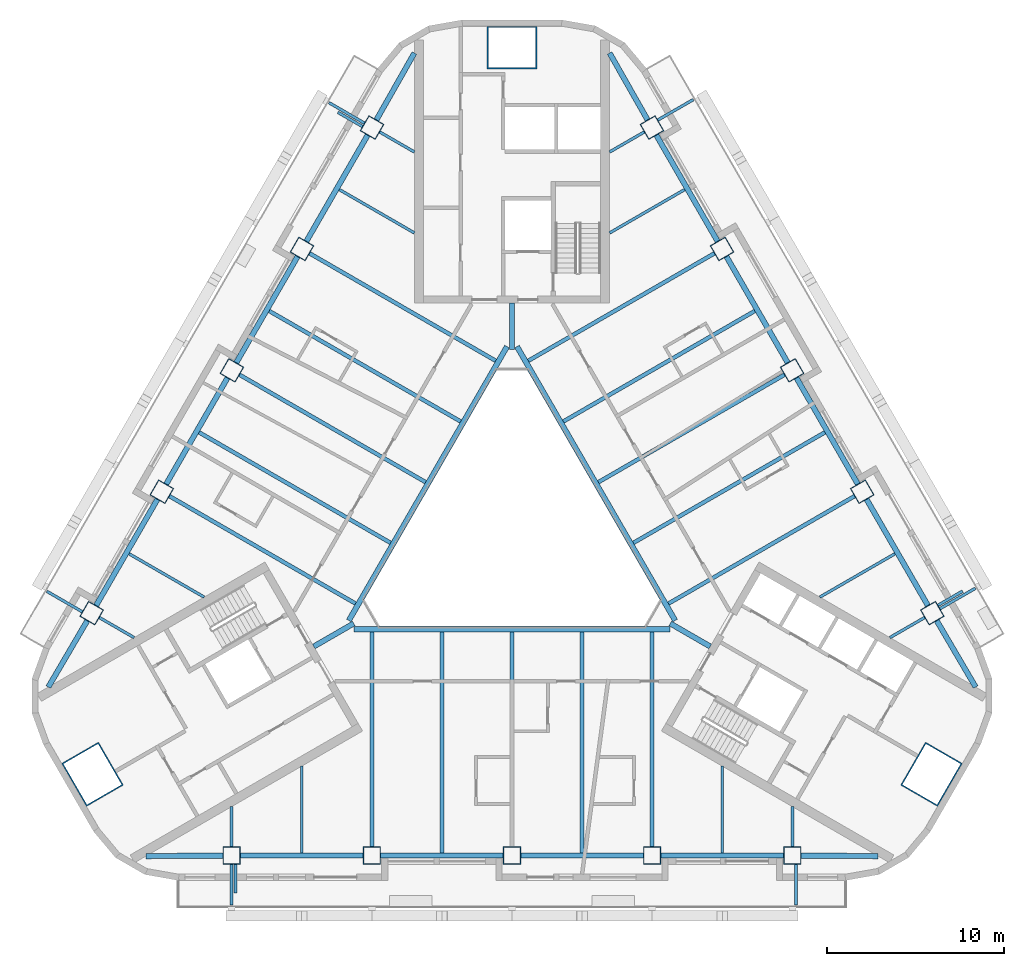
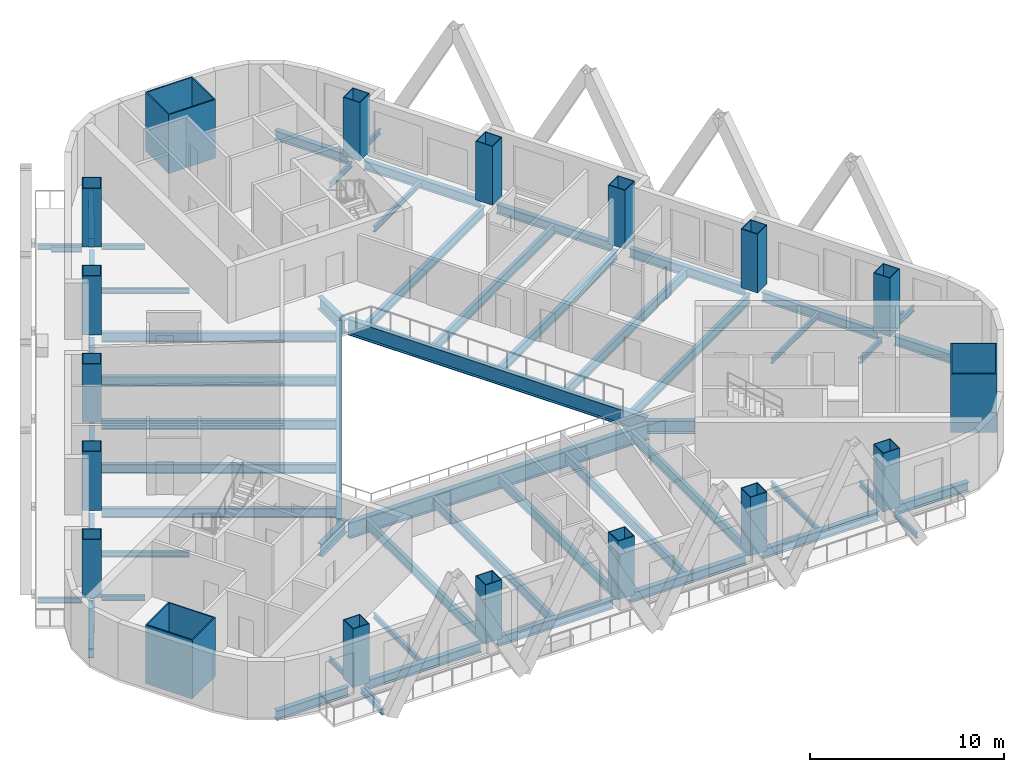
# One storey, part 1 of 13: 60 beams, 18 columns.
"""IFC4 building model written with IfcOpenShell, lengths in metres."""

from ifc_helpers import new_model, si_unit, direction, frame, origin, origin_2d, place, context, subcontext, project, spatial, rectangle, hollow_rectangle, i_section, extrude, material, material_profile, profile_set, type_object, element, save


model = new_model("IFC4")

# Units and contexts
model_context = context("Model", 3, precision=1e-05, world=origin(), true_north=direction((0.0, 1.0)))
body_context = subcontext(model_context, "Body", "Model", "MODEL_VIEW")
ifc_project = project(units=[si_unit("LENGTHUNIT", "METRE"), si_unit("AREAUNIT", "SQUARE_METRE"), si_unit("VOLUMEUNIT", "CUBIC_METRE"), si_unit("PLANEANGLEUNIT", "RADIAN"), si_unit("MASSUNIT", "GRAM", prefix="KILO")], contexts=[model_context])

# Site, building, storey
site_placement = place(None, origin())
site = spatial("IfcSite", under=ifc_project, at=site_placement, CompositionType="ELEMENT")
building_placement = place(site_placement, origin())
building = spatial("IfcBuilding", under=site, at=building_placement, Name="Apuvela Tower Hotel", CompositionType="ELEMENT")
storey_placement = place(building_placement, frame((0.0, 0.0, 61.300048828125)))
storey = spatial("IfcBuildingStorey", under=building, at=storey_placement, Name="L12", CompositionType="ELEMENT", Elevation=61.300048828125)

# Columns
ifc_material_1 = material(Name="Steel S460", Category="steel")
ifc_material_profile_1 = material_profile(ifc_material_1, hollow_rectangle(XDim=2.800048828125, YDim=2.39990234375, WallThickness=0.070068359375, at=origin_2d()), Name="BOX 2800x2400x70")
ifc_material_2 = material(Name="Concrete C80/95", Category="concrete")
ifc_material_profile_2 = material_profile(ifc_material_2, rectangle(XDim=2.659912109375, YDim=2.260009765625, at=origin_2d()), Name="Concrete C80/95 infill")
ifc_profile_set_1 = profile_set([ifc_material_profile_1, ifc_material_profile_2], Name="Steel S460")
column_type_1 = type_object("IfcColumnType", Name="STR-MC mega column BOX 2800x2400x70", PredefinedType="COLUMN", material=ifc_profile_set_1)
for number, where, z_axis, x_axis, name in (
    (1, (0.0, 27.300048828125, 0.0), (0.0, 0.0, 1.0), (1.0, 0.0, 0.0), "Mega column MC2 N"),
    (2, (-23.642578125, -13.64990234375, 0.0), (0.0, 0.0, 1.0), (-0.5, 0.866025403784, 0.0), "Mega column MC2 SW"),
    (3, (23.642578125, -13.64990234375, 0.0), (0.0, 0.0, 1.0), (0.5, 0.866025403784, 0.0), "Mega column MC2 SE"),
):
    element("IfcColumn", number, at=place(storey_placement, frame(where, z_axis=z_axis, x_axis=x_axis)), inside=storey, type_object=column_type_1, Name=name, PredefinedType="COLUMN", context=body_context, shape_type="SweptSolid", body=[
        extrude(hollow_rectangle(XDim=2.800048828125, YDim=2.39990234375, WallThickness=0.070068359375, at=origin_2d()), origin(), (0.0, 0.0, 1.0), 3.699951171875),
    ])
ifc_material_profile_3 = material_profile(ifc_material_1, hollow_rectangle(XDim=1.0, YDim=1.0, WallThickness=0.044921875, at=origin_2d()), Name="BOX 1000x1000x45")
ifc_material_profile_4 = material_profile(ifc_material_2, rectangle(XDim=0.909912109375, YDim=0.909912109375, at=origin_2d()), Name="Concrete C80/95 infill")
ifc_profile_set_2 = profile_set([ifc_material_profile_3, ifc_material_profile_4], Name="Steel S460")
column_type_2 = type_object("IfcColumnType", Name="STR-PC perimeter column BOX 1000x1000x45", PredefinedType="COLUMN", material=ifc_profile_set_2)
for number, where, z_axis, x_axis, name in (
    (4, (-15.800048828125, -18.22998046875, 0.0), (0.0, 0.0, 1.0), (-1.0, 0.0, 0.0), "Perimeter column C2 S1"),
    (5, (-7.89990234375, -18.22998046875, 0.0), (0.0, 0.0, 1.0), (-1.0, 0.0, 0.0), "Perimeter column C2 S2"),
    (6, (0.0, -18.22998046875, 0.0), (0.0, 0.0, 1.0), (-1.0, 0.0, 0.0), "Perimeter column C2 S3"),
    (7, (7.89990234375, -18.22998046875, 0.0), (0.0, 0.0, 1.0), (-1.0, 0.0, 0.0), "Perimeter column C2 S4"),
    (8, (15.800048828125, -18.22998046875, 0.0), (0.0, 0.0, 1.0), (-1.0, 0.0, 0.0), "Perimeter column C2 S5"),
    (9, (23.6875, -4.568115234375, 0.0), (0.0, 0.0, 1.0), (-0.5, 0.866025403784, 0.0), "Perimeter column C2 NE1"),
    (10, (19.737548828125, 2.2734375, 0.0), (0.0, 0.0, 1.0), (-0.5, 0.866025403784, 0.0), "Perimeter column C2 NE2"),
    (11, (15.78759765625, 9.114990234375, 0.0), (0.0, 0.0, 1.0), (-0.5, 0.866025403784, 0.0), "Perimeter column C2 NE3"),
    (12, (11.837646484375, 15.95654296875, 0.0), (0.0, 0.0, 1.0), (-0.5, 0.866025403784, 0.0), "Perimeter column C2 NE4"),
    (13, (7.8876953125, 22.798095703125, 0.0), (0.0, 0.0, 1.0), (-0.5, 0.866025403784, 0.0), "Perimeter column C2 NE5"),
    (14, (-7.8876953125, 22.798095703125, 0.0), (0.0, 0.0, 1.0), (0.5, 0.866025403784, 0.0), "Perimeter column C2 NW1"),
    (15, (-11.837646484375, 15.95654296875, 0.0), (0.0, 0.0, 1.0), (0.5, 0.866025403784, 0.0), "Perimeter column C2 NW2"),
    (16, (-15.78759765625, 9.114990234375, 0.0), (0.0, 0.0, 1.0), (0.5, 0.866025403784, 0.0), "Perimeter column C2 NW3"),
    (17, (-19.737548828125, 2.2734375, 0.0), (0.0, 0.0, 1.0), (0.5, 0.866025403784, 0.0), "Perimeter column C2 NW4"),
    (18, (-23.6875, -4.568115234375, 0.0), (0.0, 0.0, 1.0), (0.5, 0.866025403784, 0.0), "Perimeter column C2 NW5"),
):
    element("IfcColumn", number, at=place(storey_placement, frame(where, z_axis=z_axis, x_axis=x_axis)), inside=storey, type_object=column_type_2, Name=name, PredefinedType="COLUMN", context=body_context, shape_type="SweptSolid", body=[
        extrude(hollow_rectangle(XDim=1.0, YDim=1.0, WallThickness=0.044921875, at=origin_2d()), origin(), (0.0, 0.0, 1.0), 3.699951171875),
    ])

# Beams
ifc_material_3 = material(Name="Steel S355", Category="steel")
ifc_material_profile_5 = material_profile(ifc_material_3, i_section(OverallWidth=0.159912109375, OverallDepth=0.330078125, WebThickness=0.007568359375, FlangeThickness=0.011474609375, at=origin_2d()), Name="IPE 330")
ifc_profile_set_3 = profile_set([ifc_material_profile_5], Name="Steel S355")
beam_type_1 = type_object("IfcBeamType", Name="ENV-BALCONY-BEAM-IPE330", PredefinedType="BEAM", material=ifc_profile_set_3)
beam_1_placement = place(storey_placement, frame((-15.800048828125, -18.72998046875, -0.31494140625), z_axis=(0.0, -1.0, 0.0), x_axis=(1.0, 0.0, 0.0)))
element("IfcBeam", 19, at=beam_1_placement, inside=storey, type_object=beam_type_1, Name="Balcony cantilever beam S1 L12", PredefinedType="BEAM", context=body_context, shape_type="SweptSolid", body=[
    extrude(i_section(OverallWidth=0.159912109375, OverallDepth=0.330078125, WebThickness=0.007568359375, FlangeThickness=0.011474609375, at=origin_2d()), origin(), (0.0, 0.0, 1.0), 2.300048828125),
])
beam_2_placement = place(storey_placement, frame((-15.580078125, -18.72998046875, -0.31494140625), z_axis=(0.0, -1.0, 0.0), x_axis=(1.0, 0.0, 0.0)))
element("IfcBeam", 20, at=beam_2_placement, inside=storey, type_object=beam_type_1, Name="Balcony cantilever beam S2 L12", PredefinedType="BEAM", context=body_context, shape_type="SweptSolid", body=[
    extrude(i_section(OverallWidth=0.159912109375, OverallDepth=0.330078125, WebThickness=0.007568359375, FlangeThickness=0.011474609375, at=origin_2d()), origin(), (0.0, 0.0, 1.0), 1.60009765625),
])
for number, where, z_axis, x_axis, name in (
    (21, (16.0, -18.72998046875, -0.31494140625), (0.0, -1.0, 0.0), (1.0, 0.0, 0.0), "Balcony cantilever beam S3 L12"),
    (22, (24.12060546875, -4.318115234375, -0.31494140625), (0.866053019151, 0.499952165731, 0.0), (-0.499952165731, 0.866053019151, 0.0), "Balcony cantilever beam NE1 L12"),
):
    element("IfcBeam", number, at=place(storey_placement, frame(where, z_axis=z_axis, x_axis=x_axis)), inside=storey, type_object=beam_type_1, Name=name, PredefinedType="BEAM", context=body_context, shape_type="SweptSolid", body=[
        extrude(i_section(OverallWidth=0.159912109375, OverallDepth=0.330078125, WebThickness=0.007568359375, FlangeThickness=0.011474609375, at=origin_2d()), origin(), (0.0, 0.0, 1.0), 2.300048828125),
    ])
beam_3_placement = place(storey_placement, frame((24.0107421875, -4.127685546875, -0.31494140625), z_axis=(0.865989903783, 0.500061482766, 0.0), x_axis=(-0.500061482766, 0.865989903783, 0.0)))
element("IfcBeam", 23, at=beam_3_placement, inside=storey, type_object=beam_type_1, Name="Balcony cantilever beam NE2 L12", PredefinedType="BEAM", context=body_context, shape_type="SweptSolid", body=[
    extrude(i_section(OverallWidth=0.159912109375, OverallDepth=0.330078125, WebThickness=0.007568359375, FlangeThickness=0.011474609375, at=origin_2d()), origin(), (0.0, 0.0, 1.0), 1.599853515625),
])
beam_4_placement = place(storey_placement, frame((8.220703125, 23.221435546875, -0.31494140625), z_axis=(0.86602648383, 0.499998129301, 0.0), x_axis=(-0.499998129301, 0.86602648383, 0.0)))
element("IfcBeam", 24, at=beam_4_placement, inside=storey, type_object=beam_type_1, Name="Balcony cantilever beam NE3 L12", PredefinedType="BEAM", context=body_context, shape_type="SweptSolid", body=[
    extrude(i_section(OverallWidth=0.159912109375, OverallDepth=0.330078125, WebThickness=0.007568359375, FlangeThickness=0.011474609375, at=origin_2d()), origin(), (0.0, 0.0, 1.0), 2.2998046875),
])
beam_5_placement = place(storey_placement, frame((-8.32080078125, 23.048095703125, -0.31494140625), z_axis=(-0.865980515519, 0.500077740698, 0.0), x_axis=(-0.500077740698, -0.865980515519, 0.0)))
element("IfcBeam", 25, at=beam_5_placement, inside=storey, type_object=beam_type_1, Name="Balcony cantilever beam NW1 L12", PredefinedType="BEAM", context=body_context, shape_type="SweptSolid", body=[
    extrude(i_section(OverallWidth=0.159912109375, OverallDepth=0.330078125, WebThickness=0.007568359375, FlangeThickness=0.011474609375, at=origin_2d()), origin(), (0.0, 0.0, 1.0), 2.300048828125),
])
beam_6_placement = place(storey_placement, frame((-8.4306640625, 22.857666015625, -0.31494140625), z_axis=(-0.866028054938, 0.499995408039, 0.0), x_axis=(-0.499995408039, -0.866028054938, 0.0)))
element("IfcBeam", 26, at=beam_6_placement, inside=storey, type_object=beam_type_1, Name="Balcony cantilever beam NW2 L12", PredefinedType="BEAM", context=body_context, shape_type="SweptSolid", body=[
    extrude(i_section(OverallWidth=0.159912109375, OverallDepth=0.330078125, WebThickness=0.007568359375, FlangeThickness=0.011474609375, at=origin_2d()), origin(), (0.0, 0.0, 1.0), 1.60009765625),
])
beam_7_placement = place(storey_placement, frame((-24.220703125, -4.491455078125, -0.31494140625), z_axis=(-0.865980515519, 0.500077740698, 0.0), x_axis=(-0.500077740698, -0.865980515519, 0.0)))
element("IfcBeam", 27, at=beam_7_placement, inside=storey, type_object=beam_type_1, Name="Balcony cantilever beam NW3 L12", PredefinedType="BEAM", context=body_context, shape_type="SweptSolid", body=[
    extrude(i_section(OverallWidth=0.159912109375, OverallDepth=0.330078125, WebThickness=0.007568359375, FlangeThickness=0.011474609375, at=origin_2d()), origin(), (0.0, 0.0, 1.0), 2.300048828125),
])
ifc_material_profile_6 = material_profile(ifc_material_3, i_section(OverallWidth=0.159912109375, OverallDepth=0.330078125, WebThickness=0.007568359375, FlangeThickness=0.011474609375, at=origin_2d()), Name="IPE 330")
ifc_profile_set_4 = profile_set([ifc_material_profile_6], Name="Steel S355")
beam_type_2 = type_object("IfcBeamType", Name="STR-B floor beam IPE 330", PredefinedType="BEAM", material=ifc_profile_set_4)
beam_8_placement = place(storey_placement, frame((23.254638671875, -4.818115234375, -0.31494140625), z_axis=(-0.865991034588, -0.500059524469, 0.0), x_axis=(0.500059524469, -0.865991034588, 0.0)))
element("IfcBeam", 28, at=beam_8_placement, inside=storey, type_object=beam_type_2, Name="Floor beam B1 NE1", PredefinedType="BEAM", context=body_context, shape_type="SweptSolid", body=[
    extrude(i_section(OverallWidth=0.159912109375, OverallDepth=0.330078125, WebThickness=0.007568359375, FlangeThickness=0.011474609375, at=origin_2d()), origin(), (0.0, 0.0, 1.0), 2.257080078125),
])
for number, where, z_axis, x_axis, name in (
    (29, (21.582763671875, -1.222412109375, -0.31494140625), (-0.866015056278, -0.500017921979, 0.0), (0.500017921979, -0.866015056278, 0.0), "Floor beam B1 NE2"),
    (30, (9.732666015625, 19.302490234375, -0.31494140625), (-0.866015056278, -0.500017921979, 0.0), (0.500017921979, -0.866015056278, 0.0), "Floor beam B1 NE8"),
):
    element("IfcBeam", number, at=place(storey_placement, frame(where, z_axis=z_axis, x_axis=x_axis)), inside=storey, type_object=beam_type_2, Name=name, PredefinedType="BEAM", context=body_context, shape_type="SweptSolid", body=[
        extrude(i_section(OverallWidth=0.159912109375, OverallDepth=0.330078125, WebThickness=0.007568359375, FlangeThickness=0.011474609375, at=origin_2d()), origin(), (0.0, 0.0, 1.0), 4.887451171875),
    ])
for number, where, z_axis, x_axis, name in (
    (31, (7.45458984375, 22.548095703125, -0.31494140625), (-0.86603787505, -0.499978398512, 0.0), (0.499978398512, -0.86603787505, 0.0), "Floor beam B1 NE9"),
    (32, (-7.45458984375, 22.548095703125, -0.31494140625), (0.86603787505, -0.499978398512, 0.0), (0.499978398512, 0.86603787505, 0.0), "Floor beam B1 NW1"),
):
    element("IfcBeam", number, at=place(storey_placement, frame(where, z_axis=z_axis, x_axis=x_axis)), inside=storey, type_object=beam_type_2, Name=name, PredefinedType="BEAM", context=body_context, shape_type="SweptSolid", body=[
        extrude(i_section(OverallWidth=0.159912109375, OverallDepth=0.330078125, WebThickness=0.007568359375, FlangeThickness=0.011474609375, at=origin_2d()), origin(), (0.0, 0.0, 1.0), 2.2568359375),
    ])
for number, where, z_axis, x_axis, name in (
    (33, (-9.732666015625, 19.302490234375, -0.31494140625), (0.866015056278, -0.500017921979, 0.0), (0.500017921979, 0.866015056278, 0.0), "Floor beam B1 NW2"),
    (34, (-21.582763671875, -1.222412109375, -0.31494140625), (0.866015056278, -0.500017921979, 0.0), (0.500017921979, 0.866015056278, 0.0), "Floor beam B1 NW8"),
):
    element("IfcBeam", number, at=place(storey_placement, frame(where, z_axis=z_axis, x_axis=x_axis)), inside=storey, type_object=beam_type_2, Name=name, PredefinedType="BEAM", context=body_context, shape_type="SweptSolid", body=[
        extrude(i_section(OverallWidth=0.159912109375, OverallDepth=0.330078125, WebThickness=0.007568359375, FlangeThickness=0.011474609375, at=origin_2d()), origin(), (0.0, 0.0, 1.0), 4.887451171875),
    ])
for number, where, z_axis, x_axis, name in (
    (35, (-23.254638671875, -4.818115234375, -0.31494140625), (0.865991034588, -0.500059524469, 0.0), (0.500059524469, 0.865991034588, 0.0), "Floor beam B1 NW9"),
    (36, (-15.800048828125, -17.72998046875, -0.31494140625), (0.0, 1.0, 0.0), (-1.0, 0.0, 0.0), "Floor beam B1 S1"),
):
    element("IfcBeam", number, at=place(storey_placement, frame(where, z_axis=z_axis, x_axis=x_axis)), inside=storey, type_object=beam_type_2, Name=name, PredefinedType="BEAM", context=body_context, shape_type="SweptSolid", body=[
        extrude(i_section(OverallWidth=0.159912109375, OverallDepth=0.330078125, WebThickness=0.007568359375, FlangeThickness=0.011474609375, at=origin_2d()), origin(), (0.0, 0.0, 1.0), 2.257080078125),
    ])
for number, where, z_axis, x_axis, name in (
    (37, (-11.85009765625, -18.080078125, -0.31494140625), (0.0, 1.0, 0.0), (-1.0, 0.0, 0.0), "Floor beam B1 S2"),
    (38, (11.85009765625, -18.080078125, -0.31494140625), (0.0, 1.0, 0.0), (-1.0, 0.0, 0.0), "Floor beam B1 S8"),
):
    element("IfcBeam", number, at=place(storey_placement, frame(where, z_axis=z_axis, x_axis=x_axis)), inside=storey, type_object=beam_type_2, Name=name, PredefinedType="BEAM", context=body_context, shape_type="SweptSolid", body=[
        extrude(i_section(OverallWidth=0.159912109375, OverallDepth=0.330078125, WebThickness=0.007568359375, FlangeThickness=0.011474609375, at=origin_2d()), origin(), (0.0, 0.0, 1.0), 4.8876953125),
    ])
beam_9_placement = place(storey_placement, frame((15.800048828125, -17.72998046875, -0.31494140625), z_axis=(0.0, 1.0, 0.0), x_axis=(-1.0, 0.0, 0.0)))
element("IfcBeam", 39, at=beam_9_placement, inside=storey, type_object=beam_type_2, Name="Floor beam B1 S9", PredefinedType="BEAM", context=body_context, shape_type="SweptSolid", body=[
    extrude(i_section(OverallWidth=0.159912109375, OverallDepth=0.330078125, WebThickness=0.007568359375, FlangeThickness=0.011474609375, at=origin_2d()), origin(), (0.0, 0.0, 1.0), 2.257080078125),
])
ifc_material_profile_7 = material_profile(ifc_material_3, i_section(OverallWidth=0.219970703125, OverallDepth=0.60009765625, WebThickness=0.011962890625, FlangeThickness=0.01904296875, at=origin_2d()), Name="IPE 600")
ifc_profile_set_5 = profile_set([ifc_material_profile_7], Name="Steel S355")
beam_type_3 = type_object("IfcBeamType", Name="STR-B floor beam IPE 600", PredefinedType="BEAM", material=ifc_profile_set_5)
beam_10_placement = place(storey_placement, frame((19.3046875, 2.0234375, -0.449951171875), z_axis=(-0.866027098151, -0.499997065259, 0.0), x_axis=(0.499997065259, -0.866027098151, 0.0)))
element("IfcBeam", 40, at=beam_10_placement, inside=storey, type_object=beam_type_3, Name="Floor beam B8 NE3", PredefinedType="BEAM", context=body_context, shape_type="SweptSolid", body=[
    extrude(i_section(OverallWidth=0.219970703125, OverallDepth=0.60009765625, WebThickness=0.011962890625, FlangeThickness=0.01904296875, at=origin_2d()), origin(), (0.0, 0.0, 1.0), 12.10791015625),
])
beam_11_placement = place(storey_placement, frame((17.6328125, 5.619140625, -0.449951171875), z_axis=(-0.866027636335, -0.499996133089, 0.0), x_axis=(0.499996133089, -0.866027636335, 0.0)))
element("IfcBeam", 41, at=beam_11_placement, inside=storey, type_object=beam_type_3, Name="Floor beam B8 NE4", PredefinedType="BEAM", context=body_context, shape_type="SweptSolid", body=[
    extrude(i_section(OverallWidth=0.219970703125, OverallDepth=0.60009765625, WebThickness=0.011962890625, FlangeThickness=0.01904296875, at=origin_2d()), origin(), (0.0, 0.0, 1.0), 12.4580078125),
])
beam_12_placement = place(storey_placement, frame((15.3544921875, 8.864990234375, -0.449951171875), z_axis=(-0.866022057176, -0.500005796451, 0.0), x_axis=(0.500005796451, -0.866022057176, 0.0)))
element("IfcBeam", 42, at=beam_12_placement, inside=storey, type_object=beam_type_3, Name="Floor beam B8 NE5", PredefinedType="BEAM", context=body_context, shape_type="SweptSolid", body=[
    extrude(i_section(OverallWidth=0.219970703125, OverallDepth=0.60009765625, WebThickness=0.011962890625, FlangeThickness=0.01904296875, at=origin_2d()), origin(), (0.0, 0.0, 1.0), 12.107666015625),
])
beam_13_placement = place(storey_placement, frame((13.6826171875, 12.460693359375, -0.449951171875), z_axis=(-0.866022737053, -0.500004618886, 0.0), x_axis=(0.500004618886, -0.866022737053, 0.0)))
element("IfcBeam", 43, at=beam_13_placement, inside=storey, type_object=beam_type_3, Name="Floor beam B8 NE6", PredefinedType="BEAM", context=body_context, shape_type="SweptSolid", body=[
    extrude(i_section(OverallWidth=0.219970703125, OverallDepth=0.60009765625, WebThickness=0.011962890625, FlangeThickness=0.01904296875, at=origin_2d()), origin(), (0.0, 0.0, 1.0), 12.4580078125),
])
for number, where, z_axis, x_axis, name in (
    (44, (11.404541015625, 15.70654296875, -0.449951171875), (-0.866027098151, -0.499997065259, 0.0), (0.499997065259, -0.866027098151, 0.0), "Floor beam B8 NE7"),
    (45, (-11.404541015625, 15.70654296875, -0.449951171875), (0.866027098151, -0.499997065259, 0.0), (0.499997065259, 0.866027098151, 0.0), "Floor beam B8 NW3"),
):
    element("IfcBeam", number, at=place(storey_placement, frame(where, z_axis=z_axis, x_axis=x_axis)), inside=storey, type_object=beam_type_3, Name=name, PredefinedType="BEAM", context=body_context, shape_type="SweptSolid", body=[
        extrude(i_section(OverallWidth=0.219970703125, OverallDepth=0.60009765625, WebThickness=0.011962890625, FlangeThickness=0.01904296875, at=origin_2d()), origin(), (0.0, 0.0, 1.0), 12.10791015625),
    ])
beam_14_placement = place(storey_placement, frame((-13.6826171875, 12.460693359375, -0.449951171875), z_axis=(0.866022737053, -0.500004618886, 0.0), x_axis=(0.500004618886, 0.866022737053, 0.0)))
element("IfcBeam", 46, at=beam_14_placement, inside=storey, type_object=beam_type_3, Name="Floor beam B8 NW4", PredefinedType="BEAM", context=body_context, shape_type="SweptSolid", body=[
    extrude(i_section(OverallWidth=0.219970703125, OverallDepth=0.60009765625, WebThickness=0.011962890625, FlangeThickness=0.01904296875, at=origin_2d()), origin(), (0.0, 0.0, 1.0), 12.4580078125),
])
beam_15_placement = place(storey_placement, frame((-15.3544921875, 8.864990234375, -0.449951171875), z_axis=(0.866022057176, -0.500005796451, 0.0), x_axis=(0.500005796451, 0.866022057176, 0.0)))
element("IfcBeam", 47, at=beam_15_placement, inside=storey, type_object=beam_type_3, Name="Floor beam B8 NW5", PredefinedType="BEAM", context=body_context, shape_type="SweptSolid", body=[
    extrude(i_section(OverallWidth=0.219970703125, OverallDepth=0.60009765625, WebThickness=0.011962890625, FlangeThickness=0.01904296875, at=origin_2d()), origin(), (0.0, 0.0, 1.0), 12.107666015625),
])
beam_16_placement = place(storey_placement, frame((-17.6328125, 5.619140625, -0.449951171875), z_axis=(0.866027636335, -0.499996133089, 0.0), x_axis=(0.499996133089, 0.866027636335, 0.0)))
element("IfcBeam", 48, at=beam_16_placement, inside=storey, type_object=beam_type_3, Name="Floor beam B8 NW6", PredefinedType="BEAM", context=body_context, shape_type="SweptSolid", body=[
    extrude(i_section(OverallWidth=0.219970703125, OverallDepth=0.60009765625, WebThickness=0.011962890625, FlangeThickness=0.01904296875, at=origin_2d()), origin(), (0.0, 0.0, 1.0), 12.4580078125),
])
for number, where, z_axis, x_axis, name in (
    (49, (-19.3046875, 2.0234375, -0.449951171875), (0.866027098151, -0.499997065259, 0.0), (0.499997065259, 0.866027098151, 0.0), "Floor beam B8 NW7"),
    (50, (-7.89990234375, -17.72998046875, -0.449951171875), (0.0, 1.0, 0.0), (-1.0, 0.0, 0.0), "Floor beam B8 S3"),
):
    element("IfcBeam", number, at=place(storey_placement, frame(where, z_axis=z_axis, x_axis=x_axis)), inside=storey, type_object=beam_type_3, Name=name, PredefinedType="BEAM", context=body_context, shape_type="SweptSolid", body=[
        extrude(i_section(OverallWidth=0.219970703125, OverallDepth=0.60009765625, WebThickness=0.011962890625, FlangeThickness=0.01904296875, at=origin_2d()), origin(), (0.0, 0.0, 1.0), 12.10791015625),
    ])
beam_17_placement = place(storey_placement, frame((-3.949951171875, -18.080078125, -0.449951171875), z_axis=(0.0, 1.0, 0.0), x_axis=(-1.0, 0.0, 0.0)))
element("IfcBeam", 51, at=beam_17_placement, inside=storey, type_object=beam_type_3, Name="Floor beam B8 S4", PredefinedType="BEAM", context=body_context, shape_type="SweptSolid", body=[
    extrude(i_section(OverallWidth=0.219970703125, OverallDepth=0.60009765625, WebThickness=0.011962890625, FlangeThickness=0.01904296875, at=origin_2d()), origin(), (0.0, 0.0, 1.0), 12.4580078125),
])
beam_18_placement = place(storey_placement, frame((0.0, -17.72998046875, -0.449951171875), z_axis=(0.0, 1.0, 0.0), x_axis=(-1.0, 0.0, 0.0)))
element("IfcBeam", 52, at=beam_18_placement, inside=storey, type_object=beam_type_3, Name="Floor beam B8 S5", PredefinedType="BEAM", context=body_context, shape_type="SweptSolid", body=[
    extrude(i_section(OverallWidth=0.219970703125, OverallDepth=0.60009765625, WebThickness=0.011962890625, FlangeThickness=0.01904296875, at=origin_2d()), origin(), (0.0, 0.0, 1.0), 12.10791015625),
])
beam_19_placement = place(storey_placement, frame((3.949951171875, -18.080078125, -0.449951171875), z_axis=(0.0, 1.0, 0.0), x_axis=(-1.0, 0.0, 0.0)))
element("IfcBeam", 53, at=beam_19_placement, inside=storey, type_object=beam_type_3, Name="Floor beam B8 S6", PredefinedType="BEAM", context=body_context, shape_type="SweptSolid", body=[
    extrude(i_section(OverallWidth=0.219970703125, OverallDepth=0.60009765625, WebThickness=0.011962890625, FlangeThickness=0.01904296875, at=origin_2d()), origin(), (0.0, 0.0, 1.0), 12.4580078125),
])
beam_20_placement = place(storey_placement, frame((7.89990234375, -17.72998046875, -0.449951171875), z_axis=(0.0, 1.0, 0.0), x_axis=(-1.0, 0.0, 0.0)))
element("IfcBeam", 54, at=beam_20_placement, inside=storey, type_object=beam_type_3, Name="Floor beam B8 S7", PredefinedType="BEAM", context=body_context, shape_type="SweptSolid", body=[
    extrude(i_section(OverallWidth=0.219970703125, OverallDepth=0.60009765625, WebThickness=0.011962890625, FlangeThickness=0.01904296875, at=origin_2d()), origin(), (0.0, 0.0, 1.0), 12.10791015625),
])
ifc_material_profile_8 = material_profile(ifc_material_3, i_section(OverallWidth=0.302001953125, OverallDepth=1.008056640625, WebThickness=0.02099609375, FlangeThickness=0.0400390625, at=origin_2d()), Name="HE 1000 M")
ifc_profile_set_6 = profile_set([ifc_material_profile_8], Name="Steel S355")
beam_type_4 = type_object("IfcBeamType", Name="STR-G atrium ring girder HE 1000 M", PredefinedType="BEAM", material=ifc_profile_set_6)
for number, where, z_axis, x_axis, name in (
    (55, (-0.28076171875, 10.455810546875, -0.654052734375), (-0.500000611842, -0.866025050537, 0.0), (0.866025050537, -0.500000611842, 0.0), "Atrium ring girder G1 N-SW"),
    (56, (-8.91455078125, -5.470947265625, -0.654052734375), (1.0, 0.0, 0.0), (0.0, 1.0, 0.0), "Atrium ring girder G1 SW-SE"),
    (57, (9.1953125, -4.984619140625, -0.654052734375), (-0.500000611842, 0.866025050537, 0.0), (-0.866025050537, -0.500000611842, 0.0), "Atrium ring girder G1 SE-N"),
):
    element("IfcBeam", number, at=place(storey_placement, frame(where, z_axis=z_axis, x_axis=x_axis)), inside=storey, type_object=beam_type_4, Name=name, PredefinedType="BEAM", context=body_context, shape_type="SweptSolid", body=[
        extrude(i_section(OverallWidth=0.302001953125, OverallDepth=1.008056640625, WebThickness=0.02099609375, FlangeThickness=0.0400390625, at=origin_2d()), origin(), (0.0, 0.0, 1.0), 17.8291015625),
    ])
ifc_material_profile_9 = material_profile(ifc_material_3, i_section(OverallWidth=0.300048828125, OverallDepth=0.800048828125, WebThickness=0.017578125, FlangeThickness=0.032958984375, at=origin_2d()), Name="HE 800 B")
ifc_profile_set_7 = profile_set([ifc_material_profile_9], Name="Steel S355")
beam_type_5 = type_object("IfcBeamType", Name="STR-GT core tie beam HE 800 B", PredefinedType="BEAM", material=ifc_profile_set_7)
for number, where, z_axis, x_axis, name in (
    (58, (0.0, 12.89990234375, -0.550048828125), (0.0, -1.0, 0.0), (1.0, 0.0, 0.0), "Core tie beam GT1 N"),
    (59, (-11.171630859375, -6.449951171875, -0.550048828125), (0.865997922154, 0.500047596559, 0.0), (-0.500047596559, 0.865997922154, 0.0), "Core tie beam GT1 SW"),
    (60, (11.171630859375, -6.449951171875, -0.550048828125), (-0.865997922154, 0.500047596559, 0.0), (-0.500047596559, -0.865997922154, 0.0), "Core tie beam GT1 SE"),
):
    element("IfcBeam", number, at=place(storey_placement, frame(where, z_axis=z_axis, x_axis=x_axis)), inside=storey, type_object=beam_type_5, Name=name, PredefinedType="BEAM", context=body_context, shape_type="SweptSolid", body=[
        extrude(i_section(OverallWidth=0.300048828125, OverallDepth=0.800048828125, WebThickness=0.017578125, FlangeThickness=0.032958984375, at=origin_2d()), origin(), (0.0, 0.0, 1.0), 2.599853515625),
    ])
ifc_material_profile_10 = material_profile(ifc_material_3, i_section(OverallWidth=0.300048828125, OverallDepth=0.590087890625, WebThickness=0.012939453125, FlangeThickness=0.02490234375, at=origin_2d()), Name="HE 600 A")
ifc_profile_set_8 = profile_set([ifc_material_profile_10], Name="Steel S355")
beam_type_6 = type_object("IfcBeamType", Name="STR-SB spandrel beam HE 600 A", PredefinedType="SPANDREL", material=ifc_profile_set_8)
beam_21_placement = place(storey_placement, frame((-15.300048828125, -18.22998046875, -0.445068359375), z_axis=(1.0, 0.0, 0.0), x_axis=(0.0, 1.0, 0.0)))
element("IfcBeam", 61, at=beam_21_placement, inside=storey, type_object=beam_type_6, Name="Spandrel beam SB2 S1", PredefinedType="SPANDREL", context=body_context, shape_type="SweptSolid", body=[
    extrude(i_section(OverallWidth=0.300048828125, OverallDepth=0.590087890625, WebThickness=0.012939453125, FlangeThickness=0.02490234375, at=origin_2d()), origin(), (0.0, 0.0, 1.0), 6.900146484375),
])
for number, where, z_axis, x_axis, name in (
    (62, (-7.39990234375, -18.22998046875, -0.445068359375), (1.0, 0.0, 0.0), (0.0, 1.0, 0.0), "Spandrel beam SB2 S2"),
    (63, (0.5, -18.22998046875, -0.445068359375), (1.0, 0.0, 0.0), (0.0, 1.0, 0.0), "Spandrel beam SB2 S3"),
):
    element("IfcBeam", number, at=place(storey_placement, frame(where, z_axis=z_axis, x_axis=x_axis)), inside=storey, type_object=beam_type_6, Name=name, PredefinedType="SPANDREL", context=body_context, shape_type="SweptSolid", body=[
        extrude(i_section(OverallWidth=0.300048828125, OverallDepth=0.590087890625, WebThickness=0.012939453125, FlangeThickness=0.02490234375, at=origin_2d()), origin(), (0.0, 0.0, 1.0), 6.89990234375),
    ])
beam_22_placement = place(storey_placement, frame((8.39990234375, -18.22998046875, -0.445068359375), z_axis=(1.0, 0.0, 0.0), x_axis=(0.0, 1.0, 0.0)))
element("IfcBeam", 64, at=beam_22_placement, inside=storey, type_object=beam_type_6, Name="Spandrel beam SB2 S4", PredefinedType="SPANDREL", context=body_context, shape_type="SweptSolid", body=[
    extrude(i_section(OverallWidth=0.300048828125, OverallDepth=0.590087890625, WebThickness=0.012939453125, FlangeThickness=0.02490234375, at=origin_2d()), origin(), (0.0, 0.0, 1.0), 6.900146484375),
])
for number, where, z_axis, x_axis, name in (
    (65, (23.4375, -4.13525390625, -0.445068359375), (-0.499994024137, 0.866028853923, 0.0), (-0.866028853923, -0.499994024137, 0.0), "Spandrel beam SB2 NE1"),
    (66, (19.487548828125, 2.706298828125, -0.445068359375), (-0.499994024137, 0.866028853923, 0.0), (-0.866028853923, -0.499994024137, 0.0), "Spandrel beam SB2 NE2"),
    (67, (15.53759765625, 9.548095703125, -0.445068359375), (-0.499994024137, 0.866028853923, 0.0), (-0.866028853923, -0.499994024137, 0.0), "Spandrel beam SB2 NE3"),
    (68, (11.587646484375, 16.3896484375, -0.445068359375), (-0.499994024137, 0.866028853923, 0.0), (-0.866028853923, -0.499994024137, 0.0), "Spandrel beam SB2 NE4"),
    (69, (-8.1376953125, 22.365234375, -0.445068359375), (-0.499994024137, -0.866028853923, 0.0), (0.866028853923, -0.499994024137, 0.0), "Spandrel beam SB2 NW1"),
    (70, (-12.087646484375, 15.523681640625, -0.445068359375), (-0.499994024137, -0.866028853923, 0.0), (0.866028853923, -0.499994024137, 0.0), "Spandrel beam SB2 NW2"),
    (71, (-16.03759765625, 8.681884765625, -0.445068359375), (-0.499994024137, -0.866028853923, 0.0), (0.866028853923, -0.499994024137, 0.0), "Spandrel beam SB2 NW3"),
    (72, (-19.987548828125, 1.84033203125, -0.445068359375), (-0.499994024137, -0.866028853923, 0.0), (0.866028853923, -0.499994024137, 0.0), "Spandrel beam SB2 NW4"),
):
    element("IfcBeam", number, at=place(storey_placement, frame(where, z_axis=z_axis, x_axis=x_axis)), inside=storey, type_object=beam_type_6, Name=name, PredefinedType="SPANDREL", context=body_context, shape_type="SweptSolid", body=[
        extrude(i_section(OverallWidth=0.300048828125, OverallDepth=0.590087890625, WebThickness=0.012939453125, FlangeThickness=0.02490234375, at=origin_2d()), origin(), (0.0, 0.0, 1.0), 6.89990234375),
    ])
for number, where, z_axis, x_axis, name in (
    (73, (-16.300048828125, -18.2333984375, -0.445068359375), (-0.999976372141, -0.00687423888, 0.0), (0.00687423888, -0.999976372141, 0.0), "Spandrel beam SB2 S1-SW"),
    (74, (16.300048828125, -18.2333984375, -0.445068359375), (0.999976372141, -0.00687423888, 0.0), (0.00687423888, 0.999976372141, 0.0), "Spandrel beam SB2 S5-SE"),
    (75, (23.940673828125, -4.99951171875, -0.445068359375), (0.505943625762, -0.862566546738, 0.0), (0.862566546738, 0.505943625762, 0.0), "Spandrel beam SB2 NE1-SE"),
    (76, (7.640625, 23.23291015625, -0.445068359375), (-0.494050066642, 0.869433454412, 0.0), (-0.869433454412, -0.494050066642, 0.0), "Spandrel beam SB2 NE5-N"),
    (77, (-7.640625, 23.23291015625, -0.445068359375), (0.494050066642, 0.869433454412, 0.0), (-0.869433454412, 0.494050066642, 0.0), "Spandrel beam SB2 NW1-N"),
    (78, (-23.940673828125, -4.99951171875, -0.445068359375), (-0.505943625762, -0.862566546738, 0.0), (0.862566546738, -0.505943625762, 0.0), "Spandrel beam SB2 NW5-SW"),
):
    element("IfcBeam", number, at=place(storey_placement, frame(where, z_axis=z_axis, x_axis=x_axis)), inside=storey, type_object=beam_type_6, Name=name, PredefinedType="SPANDREL", context=body_context, shape_type="SweptSolid", body=[
        extrude(i_section(OverallWidth=0.300048828125, OverallDepth=0.590087890625, WebThickness=0.012939453125, FlangeThickness=0.02490234375, at=origin_2d()), origin(), (0.0, 0.0, 1.0), 4.332763671875),
    ])

save(model, "model.ifc")
